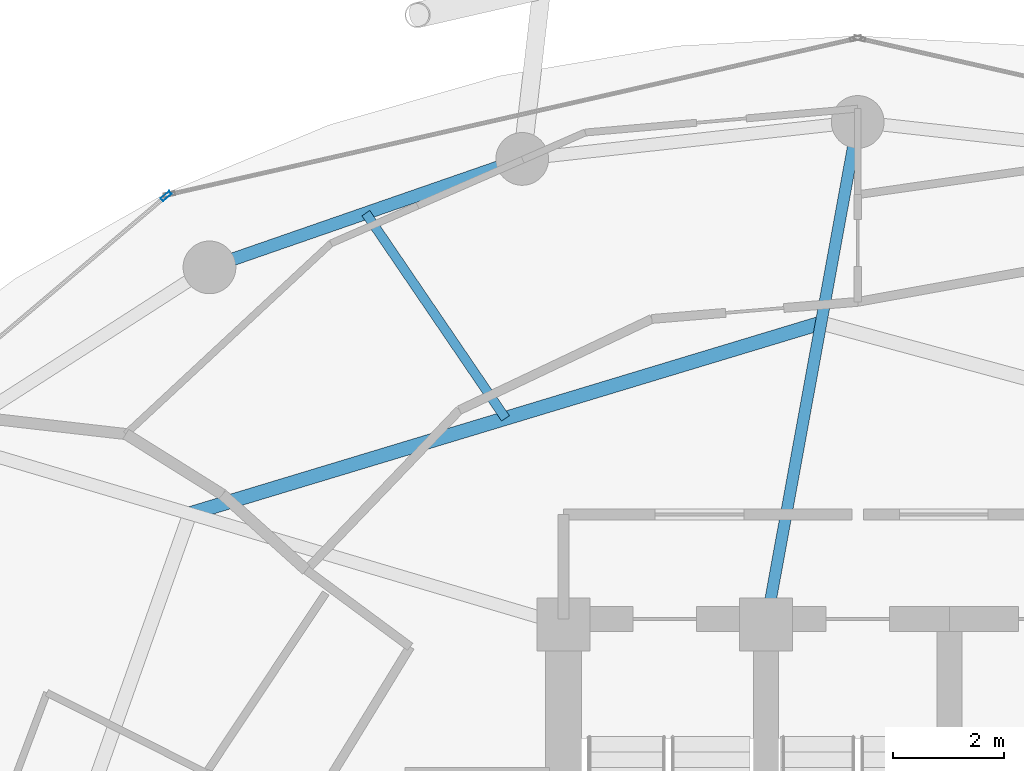
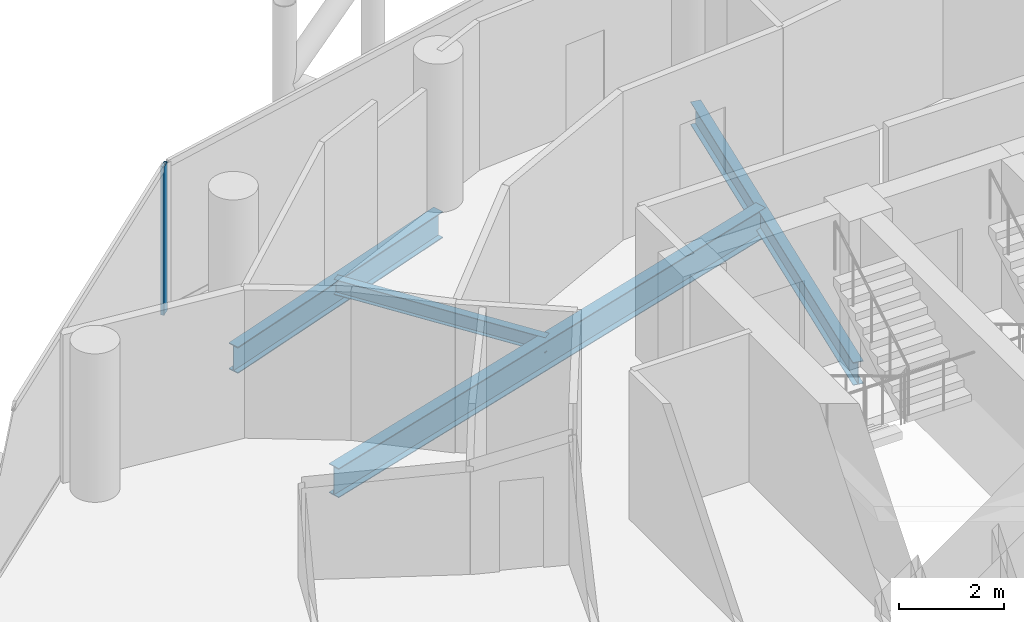
# One storey, part 15 of 27: 4 beams, 1 member, 1 element without a shape of its own.
"""IFC4 building model written with IfcOpenShell, lengths in metres."""

from ifc_helpers import new_model, si_unit, direction, frame, origin, origin_2d, place, context, subcontext, project, spatial, hollow_rectangle, i_section, extrude, material, layer, layer_set, material_profile, profile_set, type_object, element, aggregate, save


model = new_model("IFC4")

# Units and contexts
model_context = context("Model", 3, precision=1e-05, world=origin(), true_north=direction((0.0, 1.0)))
body_context = subcontext(model_context, "Body", "Model", "MODEL_VIEW")
ifc_project = project(units=[si_unit("LENGTHUNIT", "METRE"), si_unit("AREAUNIT", "SQUARE_METRE"), si_unit("VOLUMEUNIT", "CUBIC_METRE"), si_unit("PLANEANGLEUNIT", "RADIAN"), si_unit("MASSUNIT", "GRAM", prefix="KILO")], contexts=[model_context])

# Site, building, storey
site_placement = place(None, origin())
site = spatial("IfcSite", under=ifc_project, at=site_placement, CompositionType="ELEMENT")
building_placement = place(site_placement, origin())
building = spatial("IfcBuilding", under=site, at=building_placement, Name="Nuhasar Tower", CompositionType="ELEMENT")
storey_placement = place(building_placement, frame((0.0, 0.0, 158.949951171875)))
storey = spatial("IfcBuildingStorey", under=building, at=storey_placement, Name="L38", CompositionType="ELEMENT", Elevation=158.949951171875)

# Beams
ifc_material_1 = material(Name="Steel S355", Category="steel")
ifc_material_profile_1 = material_profile(ifc_material_1, i_section(OverallWidth=0.25390625, OverallDepth=0.68408203125, WebThickness=0.012451171875, FlangeThickness=0.018798828125, at=origin_2d()), Name="W27X94")
ifc_profile_set_1 = profile_set([ifc_material_profile_1], Name="Steel S355")
beam_type_1 = type_object("IfcBeamType", Name="BM-INRING-W27X94", PredefinedType="BEAM", material=ifc_profile_set_1)
beam_1_placement = place(storey_placement, frame((38.340087890625, 42.72998046875, -0.592041015625), z_axis=(-0.95722440557, -0.289346569673, 0.0), x_axis=(0.289346569673, -0.95722440557, 0.0)))
element("IfcBeam", 1, at=beam_1_placement, inside=storey, type_object=beam_type_1, Name="L38 Inner Header Beam 06", PredefinedType="BEAM", context=body_context, shape_type="SweptSolid", body=[
    extrude(i_section(OverallWidth=0.25390625, OverallDepth=0.68408203125, WebThickness=0.012451171875, FlangeThickness=0.018798828125, at=origin_2d()), origin(), (0.0, 0.0, 1.0), 11.875244140625),
])
ifc_material_profile_2 = material_profile(ifc_material_1, i_section(OverallWidth=0.1708984375, OverallDepth=0.35205078125, WebThickness=0.0068359375, FlangeThickness=0.009765625, at=origin_2d()), Name="W14X30")
ifc_profile_set_2 = profile_set([ifc_material_profile_2], Name="Steel S355")
beam_type_2 = type_object("IfcBeamType", Name="BM-JST-W14X30", PredefinedType="JOIST", material=ifc_profile_set_2)
beam_2_placement = place(storey_placement, frame((32.656982421875, 41.011962890625, -0.426025390625), z_axis=(-0.562802886474, 0.826591138941, 0.0), x_axis=(-0.826591138941, -0.562802886474, 0.0)))
element("IfcBeam", 2, at=beam_2_placement, inside=storey, type_object=beam_type_2, Name="L38 Secondary Floor Joist 06", PredefinedType="JOIST", context=body_context, shape_type="SweptSolid", body=[
    extrude(i_section(OverallWidth=0.1708984375, OverallDepth=0.35205078125, WebThickness=0.0068359375, FlangeThickness=0.009765625, at=origin_2d()), origin(), (0.0, 0.0, 1.0), 4.47021484375),
])
ifc_material_profile_3 = material_profile(ifc_material_1, i_section(OverallWidth=0.208984375, OverallDepth=0.532958984375, WebThickness=0.01025390625, FlangeThickness=0.015625, at=origin_2d()), Name="W21X62")
ifc_profile_set_3 = profile_set([ifc_material_profile_3], Name="Steel S355")
beam_type_3 = type_object("IfcBeamType", Name="BM-RAD-W21X62", PredefinedType="BEAM", material=ifc_profile_set_3)
beam_3_placement = place(storey_placement, frame((37.35009765625, 37.300048828125, -0.516845703125), z_axis=(0.179352509513, 0.983784873502, 0.0), x_axis=(-0.983784873502, 0.179352509513, 0.0)))
element("IfcBeam", 3, at=beam_3_placement, inside=storey, type_object=beam_type_3, Name="L38 Radial Floor Girder 06", PredefinedType="BEAM", context=body_context, shape_type="SweptSolid", body=[
    extrude(i_section(OverallWidth=0.208984375, OverallDepth=0.532958984375, WebThickness=0.01025390625, FlangeThickness=0.015625, at=origin_2d()), origin(), (0.0, 0.0, 1.0), 9.19921875),
])
ifc_material_profile_4 = material_profile(ifc_material_1, i_section(OverallWidth=0.22998046875, OverallDepth=0.616943359375, WebThickness=0.01318359375, FlangeThickness=0.022216796875, at=origin_2d()), Name="W24X94")
ifc_profile_set_4 = profile_set([ifc_material_profile_4], Name="Steel S355")
beam_type_4 = type_object("IfcBeamType", Name="BM-RING-W24X94", PredefinedType="SPANDREL", material=ifc_profile_set_4)
beam_4_placement = place(storey_placement, frame((32.95703125, 45.68408203125, -0.558837890625), z_axis=(-0.944801380051, -0.327643636066, 0.0), x_axis=(0.327643636066, -0.944801380051, 0.0)))
element("IfcBeam", 4, at=beam_4_placement, inside=storey, type_object=beam_type_4, Name="L38 Perimeter Ring Spandrel 08", PredefinedType="SPANDREL", context=body_context, shape_type="SweptSolid", body=[
    extrude(i_section(OverallWidth=0.22998046875, OverallDepth=0.616943359375, WebThickness=0.01318359375, FlangeThickness=0.022216796875, at=origin_2d()), origin(), (0.0, 0.0, 1.0), 5.961181640625),
])

# Curtain wall, member
ifc_material_2 = material(Name="Aluminium 6063-T6", Category="aluminium")
ifc_layer = layer(ifc_material_2, 0.199951171875)
ifc_layer_set = layer_set([ifc_layer], Name="Aluminium 6063-T6")
curtain_wall_type = type_object("IfcCurtainWallType", Name="CW-Z2-HTL", PredefinedType="NOTDEFINED", material=ifc_layer_set)
curtain_wall_placement = place(storey_placement, origin())
curtain_wall = element("IfcCurtainWall", 5, at=curtain_wall_placement, inside=storey, type_object=curtain_wall_type, Name="L38 Unitised Curtain Wall 05", PredefinedType="NOTDEFINED")
ifc_material_profile_5 = material_profile(ifc_material_2, hollow_rectangle(XDim=0.070068359375, YDim=0.199951171875, WallThickness=0.0048828125, at=origin_2d()), Name="CWM-3")
ifc_profile_set_5 = profile_set([ifc_material_profile_5], Name="Aluminium 6063-T6")
member_type = type_object("IfcMemberType", Name="CW-MUL-S3", PredefinedType="MULLION", material=ifc_profile_set_5)
member_placement = place(storey_placement, frame((26.543212890625, 45.015380859375, 0.0), z_axis=(0.0, 0.0, 1.0), x_axis=(0.646374438324, -0.763020370292, 0.0)))
member = element("IfcMember", 6, at=member_placement, type_object=member_type, Name="CW-Z2 mullion 1", PredefinedType="MULLION", context=body_context, shape_type="SweptSolid", body=[
    extrude(hollow_rectangle(XDim=0.070068359375, YDim=0.199951171875, WallThickness=0.0048828125, at=origin_2d()), origin(), (0.0, 0.0, 1.0), 3.449951171875),
])
aggregate(curtain_wall, [member])

save(model, "model.ifc")
